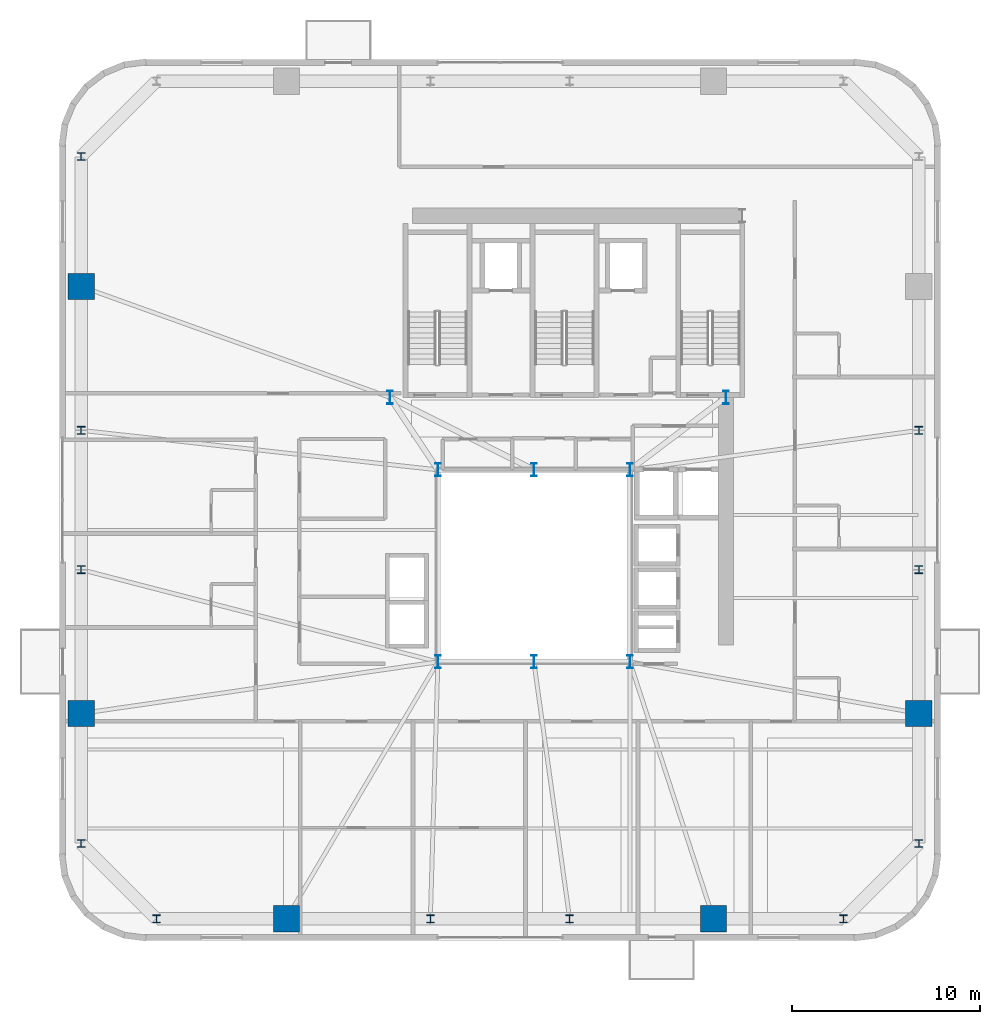
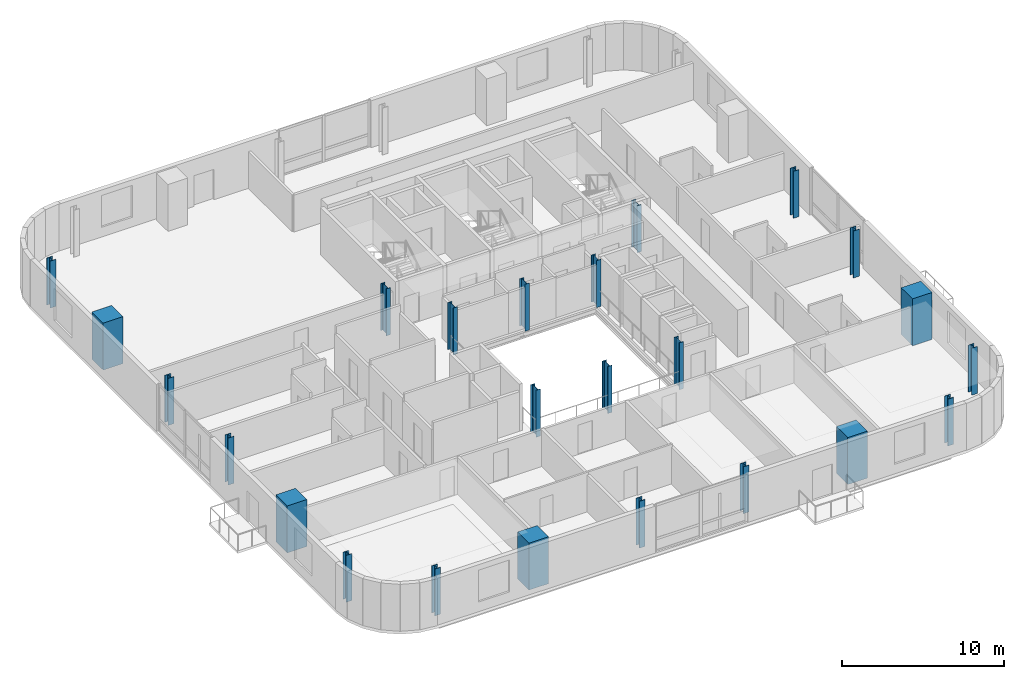
# One storey, part 1 of 15: 24 columns.
"""IFC4 building model written with IfcOpenShell, lengths in metres."""

from ifc_helpers import new_model, si_unit, direction, frame, origin, origin_2d, place, context, subcontext, project, spatial, rectangle, i_section, extrude, source, transform, mapped, material, material_profile, profile_set, type_object, element, save


model = new_model("IFC4")

# Units and contexts
model_context = context("Model", 3, precision=1e-05, world=origin(), true_north=direction((0.0, 1.0)))
body_context = subcontext(model_context, "Body", "Model", "MODEL_VIEW")
ifc_project = project(units=[si_unit("LENGTHUNIT", "METRE"), si_unit("AREAUNIT", "SQUARE_METRE"), si_unit("VOLUMEUNIT", "CUBIC_METRE"), si_unit("PLANEANGLEUNIT", "RADIAN"), si_unit("MASSUNIT", "GRAM", prefix="KILO")], contexts=[model_context])

# Site, building, storey
site_placement = place(None, origin())
site = spatial("IfcSite", under=ifc_project, at=site_placement, CompositionType="ELEMENT")
building_placement = place(site_placement, origin())
building = spatial("IfcBuilding", under=site, at=building_placement, Name="Vardaveli Station Tower", CompositionType="ELEMENT")
storey_placement = place(building_placement, frame((0.0, 0.0, 207.300048828125)))
storey = spatial("IfcBuildingStorey", under=building, at=storey_placement, Name="L53", CompositionType="ELEMENT", Elevation=207.300048828125)

# Columns
ifc_material_1 = material(Name="Structural steel S460M", Category="steel")
ifc_material_profile_1 = material_profile(ifc_material_1, i_section(OverallWidth=0.300048828125, OverallDepth=0.699951171875, WebThickness=0.01708984375, FlangeThickness=0.031982421875, FilletRadius=0.027099609375, at=origin_2d()), Name="HEB 700")
ifc_profile_set_1 = profile_set([ifc_material_profile_1], Name="Structural steel S460M")
column_type_1 = type_object("IfcColumnType", Name="COL-HEB700", PredefinedType="COLUMN", material=ifc_profile_set_1)
shared_shape_1 = source(origin(), body_context, "Body", "SweptSolid", [
    extrude(i_section(OverallWidth=0.300048828125, OverallDepth=0.699951171875, WebThickness=0.01708984375, FlangeThickness=0.031982421875, FilletRadius=0.027099609375, at=origin_2d()), origin(), (0.0, 0.0, 1.0), 3.530029296875),
])
for number, where, z_axis, x_axis, name in (
    (1, (31.199951171875, 16.60009765625, 0.0), (0.0, 0.0, 1.0), (1.0, 0.0, 0.0), "COL-L53-AC1"),
    (2, (36.300048828125, 16.60009765625, 0.0), (0.0, 0.0, 1.0), (1.0, 0.0, 0.0), "COL-L53-AC2"),
    (3, (41.39990234375, 16.60009765625, 0.0), (0.0, 0.0, 1.0), (1.0, 0.0, 0.0), "COL-L53-AC3"),
    (4, (41.39990234375, 26.800048828125, 0.0), (0.0, 0.0, 1.0), (1.0, 0.0, 0.0), "COL-L53-AC4"),
    (5, (36.300048828125, 26.800048828125, 0.0), (0.0, 0.0, 1.0), (1.0, 0.0, 0.0), "COL-L53-AC5"),
    (6, (31.199951171875, 26.800048828125, 0.0), (0.0, 0.0, 1.0), (1.0, 0.0, 0.0), "COL-L53-AC6"),
    (7, (28.64990234375, 30.64990234375, 0.0), (0.0, 0.0, 1.0), (1.0, 0.0, 0.0), "COL-L53-CC1"),
    (8, (46.5, 30.64990234375, 0.0), (0.0, 0.0, 1.0), (1.0, 0.0, 0.0), "COL-L53-CC2"),
):
    element("IfcColumn", number, at=place(storey_placement, frame(where, z_axis=z_axis, x_axis=x_axis)), inside=storey, type_object=column_type_1, Name=name, PredefinedType="COLUMN", context=body_context, shape_type="MappedRepresentation", body=[
        mapped(shared_shape_1, transform((0.0, 0.0, 0.0), scale=1.0)),
    ])
ifc_material_2 = material(Name="Concrete C50/60", Category="concrete")
ifc_material_profile_2 = material_profile(ifc_material_2, rectangle(XDim=1.39990234375, YDim=1.39990234375, at=origin_2d()), Name="MC 1400x1400")
ifc_profile_set_2 = profile_set([ifc_material_profile_2], Name="Concrete C50/60")
column_type_2 = type_object("IfcColumnType", Name="COL-MC-1400", PredefinedType="COLUMN", material=ifc_profile_set_2)
shared_shape_2 = source(origin(), body_context, "Body", "SweptSolid", [
    extrude(rectangle(XDim=1.39990234375, YDim=1.39990234375, at=origin_2d()), origin(), (0.0, 0.0, 1.0), 3.530029296875),
])
for number, where, z_axis, x_axis, name in (
    (9, (23.159912109375, 2.949951171875, 0.0), (0.0, 0.0, 1.0), (1.0, 0.0, 0.0), "COL-L53-MC1"),
    (10, (45.840087890625, 2.949951171875, 0.0), (0.0, 0.0, 1.0), (1.0, 0.0, 0.0), "COL-L53-MC2"),
    (11, (56.75, 13.860107421875, 0.0), (0.0, 0.0, 1.0), (1.0, 0.0, 0.0), "COL-L53-MC3"),
    (12, (12.25, 36.5400390625, 0.0), (0.0, 0.0, 1.0), (1.0, 0.0, 0.0), "COL-L53-MC7"),
    (13, (12.25, 13.860107421875, 0.0), (0.0, 0.0, 1.0), (1.0, 0.0, 0.0), "COL-L53-MC8"),
):
    element("IfcColumn", number, at=place(storey_placement, frame(where, z_axis=z_axis, x_axis=x_axis)), inside=storey, type_object=column_type_2, Name=name, PredefinedType="COLUMN", context=body_context, shape_type="MappedRepresentation", body=[
        mapped(shared_shape_2, transform((0.0, 0.0, 0.0), scale=1.0)),
    ])
ifc_material_profile_3 = material_profile(ifc_material_1, i_section(OverallWidth=0.408935546875, OverallDepth=0.4169921875, WebThickness=0.021240234375, FlangeThickness=0.033203125, FilletRadius=0.014892578125, at=origin_2d()), Name="HD 400x347")
ifc_profile_set_3 = profile_set([ifc_material_profile_3], Name="Structural steel S460M")
column_type_3 = type_object("IfcColumnType", Name="COL-HD347", PredefinedType="COLUMN", material=ifc_profile_set_3)
shared_shape_3 = source(origin(), body_context, "Body", "SweptSolid", [
    extrude(i_section(OverallWidth=0.408935546875, OverallDepth=0.4169921875, WebThickness=0.021240234375, FlangeThickness=0.033203125, FilletRadius=0.014892578125, at=origin_2d()), origin(), (0.0, 0.0, 1.0), 3.530029296875),
])
for number, where, z_axis, x_axis, name in (
    (14, (16.25, 2.949951171875, 0.0), (0.0, 0.0, 1.0), (1.0, 0.0, 0.0), "COL-L53-PC01"),
    (15, (30.800048828125, 2.949951171875, 0.0), (0.0, 0.0, 1.0), (1.0, 0.0, 0.0), "COL-L53-PC02"),
    (16, (38.199951171875, 2.949951171875, 0.0), (0.0, 0.0, 1.0), (1.0, 0.0, 0.0), "COL-L53-PC03"),
    (17, (52.75, 2.949951171875, 0.0), (0.0, 0.0, 1.0), (1.0, 0.0, 0.0), "COL-L53-PC04"),
    (18, (56.75, 6.949951171875, 0.0), (0.0, 0.0, 1.0), (1.0, 0.0, 0.0), "COL-L53-PC05"),
    (19, (56.75, 21.5, 0.0), (0.0, 0.0, 1.0), (1.0, 0.0, 0.0), "COL-L53-PC06"),
    (20, (56.75, 28.89990234375, 0.0), (0.0, 0.0, 1.0), (1.0, 0.0, 0.0), "COL-L53-PC07"),
    (21, (12.25, 43.449951171875, 0.0), (0.0, 0.0, 1.0), (1.0, 0.0, 0.0), "COL-L53-PC13"),
    (22, (12.25, 28.89990234375, 0.0), (0.0, 0.0, 1.0), (1.0, 0.0, 0.0), "COL-L53-PC14"),
    (23, (12.25, 21.5, 0.0), (0.0, 0.0, 1.0), (1.0, 0.0, 0.0), "COL-L53-PC15"),
    (24, (12.25, 6.949951171875, 0.0), (0.0, 0.0, 1.0), (1.0, 0.0, 0.0), "COL-L53-PC16"),
):
    element("IfcColumn", number, at=place(storey_placement, frame(where, z_axis=z_axis, x_axis=x_axis)), inside=storey, type_object=column_type_3, Name=name, PredefinedType="COLUMN", context=body_context, shape_type="MappedRepresentation", body=[
        mapped(shared_shape_3, transform((0.0, 0.0, 0.0), scale=1.0)),
    ])

save(model, "model.ifc")
